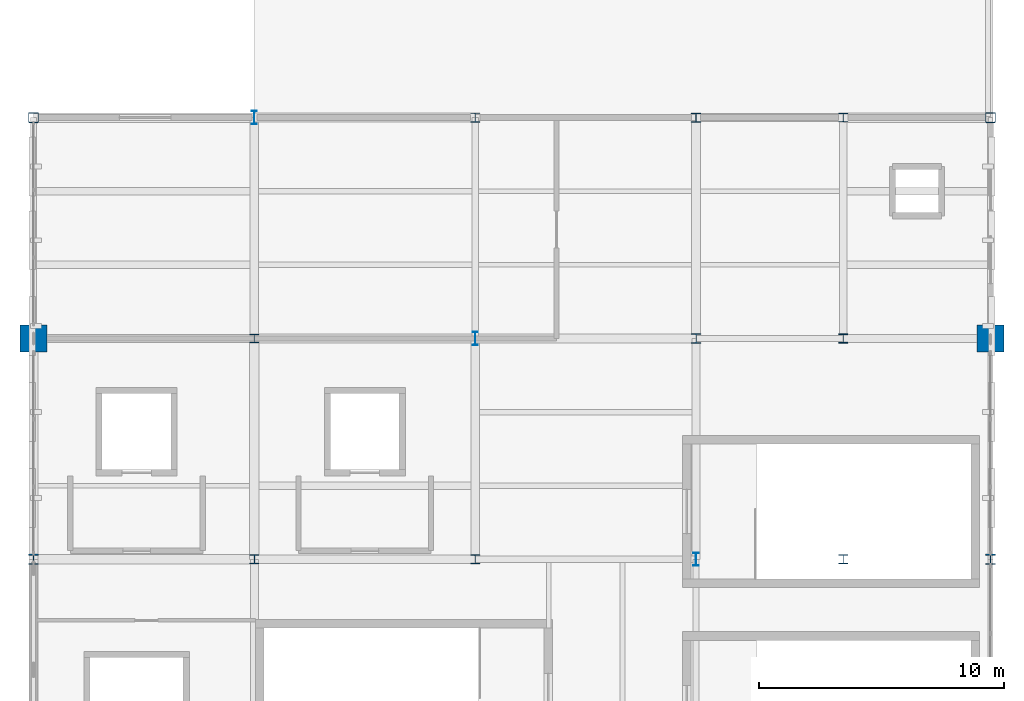
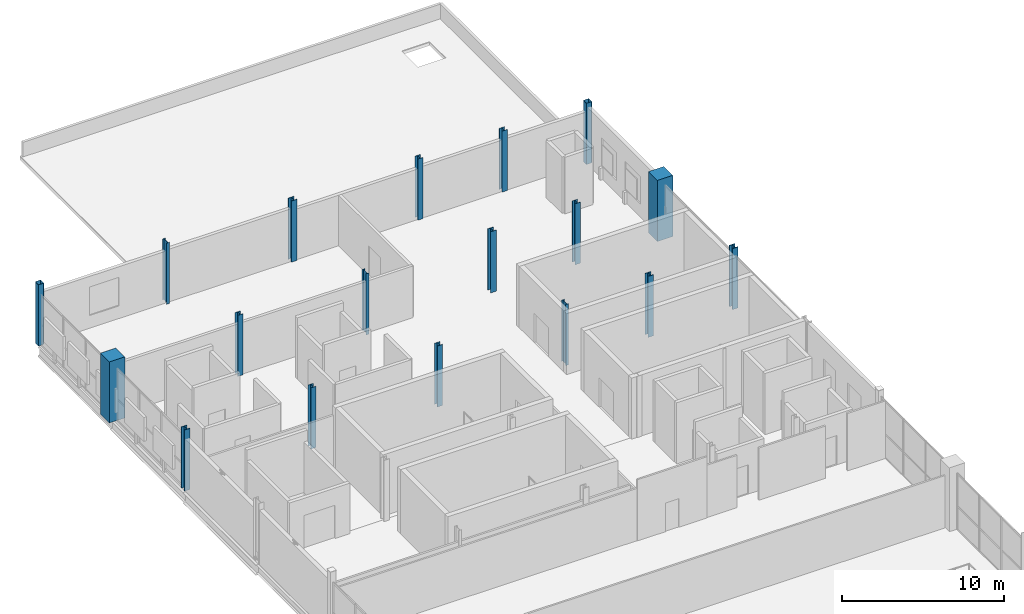
# One storey, part 5 of 29: 18 columns.
"""IFC4 building model written with IfcOpenShell, lengths in metres."""

from ifc_helpers import new_model, si_unit, direction, frame, origin, origin_2d, place, context, subcontext, project, spatial, rectangle, hollow_rectangle, i_section, extrude, material, material_profile, profile_set, type_object, element, save


model = new_model("IFC4")

# Units and contexts
model_context = context("Model", 3, precision=1e-05, world=origin(), true_north=direction((0.0, 1.0)))
body_context = subcontext(model_context, "Body", "Model", "MODEL_VIEW")
ifc_project = project(units=[si_unit("LENGTHUNIT", "METRE"), si_unit("AREAUNIT", "SQUARE_METRE"), si_unit("VOLUMEUNIT", "CUBIC_METRE"), si_unit("PLANEANGLEUNIT", "RADIAN"), si_unit("MASSUNIT", "GRAM", prefix="KILO")], contexts=[model_context])

# Site, building, storey
site_placement = place(None, origin())
site = spatial("IfcSite", under=ifc_project, at=site_placement, CompositionType="ELEMENT")
building_placement = place(site_placement, origin())
building = spatial("IfcBuilding", under=site, at=building_placement, Name="Qamarlyn Nura Convention Centre", CompositionType="ELEMENT")
storey_placement = place(building_placement, frame((0.0, 0.0, 25.199951171875)))
storey = spatial("IfcBuildingStorey", under=building, at=storey_placement, Name="L05", CompositionType="ELEMENT", Elevation=25.199951171875)

# Columns
ifc_material_1 = material(Name="Steel ASTM A500 Grade C", Category="steel")
ifc_material_profile_1 = material_profile(ifc_material_1, hollow_rectangle(XDim=0.39990234375, YDim=0.39990234375, WallThickness=0.01611328125, InnerFilletRadius=0.01611328125, OuterFilletRadius=0.031982421875, at=origin_2d()), Name="HSS400X400X16")
ifc_profile_set_1 = profile_set([ifc_material_profile_1], Name="Steel ASTM A500 Grade C")
column_type_1 = type_object("IfcColumnType", Name="COL-HSS-1", PredefinedType="COLUMN", material=ifc_profile_set_1)
for number, where, z_axis, x_axis, name in (
    (1, (153.0, 90.0, 0.0), (0.0, 0.0, 1.0), (1.0, 0.0, 0.0), "L05 column 13/L"),
    (2, (192.0, 90.0, 0.0), (0.0, 0.0, 1.0), (1.0, 0.0, 0.0), "L05 column 18/L"),
):
    element("IfcColumn", number, at=place(storey_placement, frame(where, z_axis=z_axis, x_axis=x_axis)), inside=storey, type_object=column_type_1, Name=name, PredefinedType="COLUMN", context=body_context, shape_type="SweptSolid", body=[
        extrude(hollow_rectangle(XDim=0.39990234375, YDim=0.39990234375, WallThickness=0.01611328125, InnerFilletRadius=0.01611328125, OuterFilletRadius=0.031982421875, at=origin_2d()), origin(), (0.0, 0.0, 1.0), 4.594970703125),
    ])
ifc_material_2 = material(Name="Steel ASTM A992", Category="steel")
ifc_material_profile_2 = material_profile(ifc_material_2, i_section(OverallWidth=0.408935546875, OverallDepth=0.425048828125, WebThickness=0.030517578125, FlangeThickness=0.049072265625, FilletRadius=0.02001953125, at=origin_2d()), Name="W360X421")
ifc_profile_set_2 = profile_set([ifc_material_profile_2], Name="Steel ASTM A992")
column_type_2 = type_object("IfcColumnType", Name="COL-MEGA-1", PredefinedType="COLUMN", material=ifc_profile_set_2)
for number, where, z_axis, x_axis, name in (
    (3, (153.0, 72.0, 0.0), (0.0, 0.0, 1.0), (1.0, 0.0, 0.0), "L05 column 13/J"),
    (4, (192.0, 72.0, 0.0), (0.0, 0.0, 1.0), (1.0, 0.0, 0.0), "L05 column 18/J"),
):
    element("IfcColumn", number, at=place(storey_placement, frame(where, z_axis=z_axis, x_axis=x_axis)), inside=storey, type_object=column_type_2, Name=name, PredefinedType="COLUMN", context=body_context, shape_type="SweptSolid", body=[
        extrude(i_section(OverallWidth=0.408935546875, OverallDepth=0.425048828125, WebThickness=0.030517578125, FlangeThickness=0.049072265625, FilletRadius=0.02001953125, at=origin_2d()), origin(), (0.0, 0.0, 1.0), 4.594970703125),
    ])
ifc_material_3 = material(Name="Concrete C50/60", Category="concrete")
ifc_material_profile_3 = material_profile(ifc_material_3, rectangle(XDim=1.10009765625, YDim=1.10009765625, at=origin_2d()), Name="RC 1100x1100")
ifc_profile_set_3 = profile_set([ifc_material_profile_3], Name="Concrete C50/60")
column_type_3 = type_object("IfcColumnType", Name="COL-MEGA-2", PredefinedType="COLUMN", material=ifc_profile_set_3)
for number, where, z_axis, x_axis, name in (
    (5, (153.0, 81.0, 0.0), (0.0, 0.0, 1.0), (1.0, 0.0, 0.0), "L05 column 13/K"),
    (6, (192.0, 81.0, 0.0), (0.0, 0.0, 1.0), (1.0, 0.0, 0.0), "L05 column 18/K"),
):
    element("IfcColumn", number, at=place(storey_placement, frame(where, z_axis=z_axis, x_axis=x_axis)), inside=storey, type_object=column_type_3, Name=name, PredefinedType="COLUMN", context=body_context, shape_type="SweptSolid", body=[
        extrude(rectangle(XDim=1.10009765625, YDim=1.10009765625, at=origin_2d()), origin(), (0.0, 0.0, 1.0), 4.594970703125),
    ])
ifc_material_profile_4 = material_profile(ifc_material_2, i_section(OverallWidth=0.39892578125, OverallDepth=0.39306640625, WebThickness=0.022705078125, FlangeThickness=0.03662109375, FilletRadius=0.01806640625, at=origin_2d()), Name="W360X287")
ifc_profile_set_4 = profile_set([ifc_material_profile_4], Name="Steel ASTM A992")
column_type_4 = type_object("IfcColumnType", Name="COL-WING-1", PredefinedType="COLUMN", material=ifc_profile_set_4)
for number, where, z_axis, x_axis, name in (
    (7, (171.0, 90.0, 0.0), (0.0, 0.0, 1.0), (1.0, 0.0, 0.0), "L05 column 15/L"),
    (8, (180.0, 81.0, 0.0), (0.0, 0.0, 1.0), (1.0, 0.0, 0.0), "L05 column 16/K"),
    (9, (186.0, 72.0, 0.0), (0.0, 0.0, 1.0), (1.0, 0.0, 0.0), "L05 column 17/J"),
):
    element("IfcColumn", number, at=place(storey_placement, frame(where, z_axis=z_axis, x_axis=x_axis)), inside=storey, type_object=column_type_4, Name=name, PredefinedType="COLUMN", context=body_context, shape_type="SweptSolid", body=[
        extrude(i_section(OverallWidth=0.39892578125, OverallDepth=0.39306640625, WebThickness=0.022705078125, FlangeThickness=0.03662109375, FilletRadius=0.01806640625, at=origin_2d()), origin(), (0.0, 0.0, 1.0), 4.594970703125),
    ])
ifc_material_profile_5 = material_profile(ifc_material_2, i_section(OverallWidth=0.3740234375, OverallDepth=0.3720703125, WebThickness=0.016357421875, FlangeThickness=0.026123046875, FilletRadius=0.01611328125, at=origin_2d()), Name="W360X196")
ifc_profile_set_5 = profile_set([ifc_material_profile_5], Name="Steel ASTM A992")
column_type_5 = type_object("IfcColumnType", Name="COL-WING-2", PredefinedType="COLUMN", material=ifc_profile_set_5)
for number, where, z_axis, x_axis, name in (
    (10, (162.0, 72.0, 0.0), (0.0, 0.0, 1.0), (1.0, 0.0, 0.0), "L05 column 14/J"),
    (11, (180.0, 90.0, 0.0), (0.0, 0.0, 1.0), (1.0, 0.0, 0.0), "L05 column 16/L"),
    (12, (186.0, 81.0, 0.0), (0.0, 0.0, 1.0), (1.0, 0.0, 0.0), "L05 column 17/K"),
):
    element("IfcColumn", number, at=place(storey_placement, frame(where, z_axis=z_axis, x_axis=x_axis)), inside=storey, type_object=column_type_5, Name=name, PredefinedType="COLUMN", context=body_context, shape_type="SweptSolid", body=[
        extrude(i_section(OverallWidth=0.3740234375, OverallDepth=0.3720703125, WebThickness=0.016357421875, FlangeThickness=0.026123046875, FilletRadius=0.01611328125, at=origin_2d()), origin(), (0.0, 0.0, 1.0), 4.594970703125),
    ])
ifc_material_profile_6 = material_profile(ifc_material_2, i_section(OverallWidth=0.368896484375, OverallDepth=0.35595703125, WebThickness=0.01123046875, FlangeThickness=0.01806640625, FilletRadius=0.014892578125, at=origin_2d()), Name="W360X134")
ifc_profile_set_6 = profile_set([ifc_material_profile_6], Name="Steel ASTM A992")
column_type_6 = type_object("IfcColumnType", Name="COL-WING-3", PredefinedType="COLUMN", material=ifc_profile_set_6)
for number, where, z_axis, x_axis, name in (
    (13, (162.0, 81.0, 0.0), (0.0, 0.0, 1.0), (1.0, 0.0, 0.0), "L05 column 14/K"),
    (14, (171.0, 72.0, 0.0), (0.0, 0.0, 1.0), (1.0, 0.0, 0.0), "L05 column 15/J"),
    (15, (186.0, 90.0, 0.0), (0.0, 0.0, 1.0), (1.0, 0.0, 0.0), "L05 column 17/L"),
):
    element("IfcColumn", number, at=place(storey_placement, frame(where, z_axis=z_axis, x_axis=x_axis)), inside=storey, type_object=column_type_6, Name=name, PredefinedType="COLUMN", context=body_context, shape_type="SweptSolid", body=[
        extrude(i_section(OverallWidth=0.368896484375, OverallDepth=0.35595703125, WebThickness=0.01123046875, FlangeThickness=0.01806640625, FilletRadius=0.014892578125, at=origin_2d()), origin(), (0.0, 0.0, 1.0), 4.594970703125),
    ])
ifc_material_profile_7 = material_profile(ifc_material_2, i_section(OverallWidth=0.2109375, OverallDepth=0.5390625, WebThickness=0.01171875, FlangeThickness=0.018798828125, FilletRadius=0.013916015625, at=origin_2d()), Name="W530X109")
ifc_profile_set_7 = profile_set([ifc_material_profile_7], Name="Steel ASTM A992")
column_type_7 = type_object("IfcColumnType", Name="COL-WING-7", PredefinedType="COLUMN", material=ifc_profile_set_7)
for number, where, z_axis, x_axis, name in (
    (16, (162.0, 90.0, 0.0), (0.0, 0.0, 1.0), (1.0, 0.0, 0.0), "L05 column 14/L"),
    (17, (171.0, 81.0, 0.0), (0.0, 0.0, 1.0), (1.0, 0.0, 0.0), "L05 column 15/K"),
    (18, (180.0, 72.0, 0.0), (0.0, 0.0, 1.0), (1.0, 0.0, 0.0), "L05 column 16/J"),
):
    element("IfcColumn", number, at=place(storey_placement, frame(where, z_axis=z_axis, x_axis=x_axis)), inside=storey, type_object=column_type_7, Name=name, PredefinedType="COLUMN", context=body_context, shape_type="SweptSolid", body=[
        extrude(i_section(OverallWidth=0.2109375, OverallDepth=0.5390625, WebThickness=0.01171875, FlangeThickness=0.018798828125, FilletRadius=0.013916015625, at=origin_2d()), origin(), (0.0, 0.0, 1.0), 4.594970703125),
    ])

save(model, "model.ifc")
